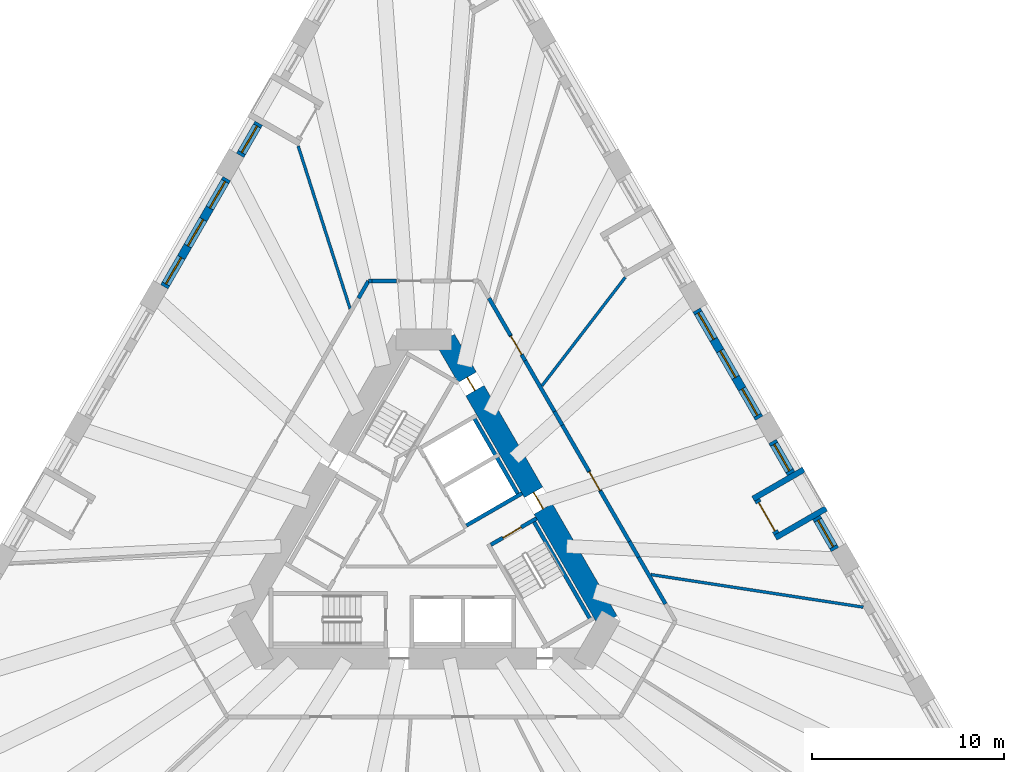
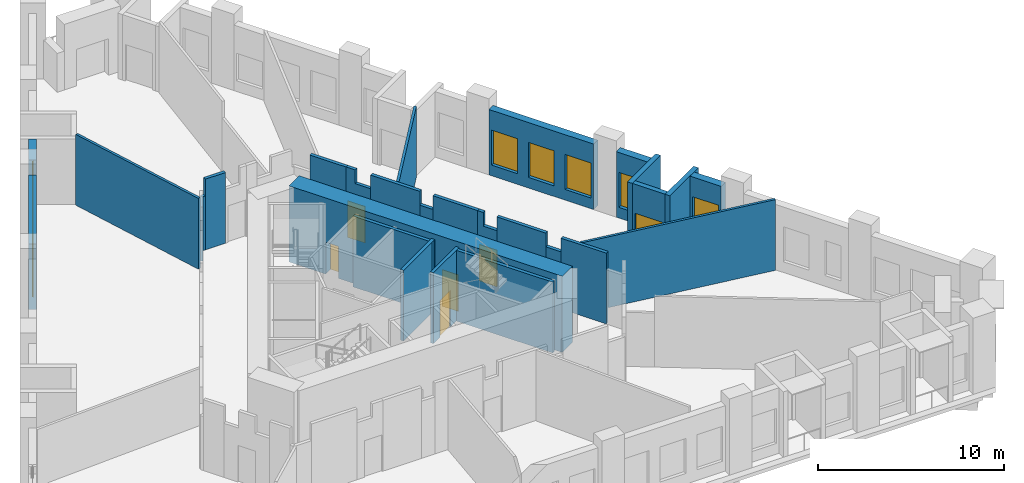
# One storey, part 6 of 12: 28 walls, 9 windows, 6 doors, 15 openings.
"""IFC4 building model written with IfcOpenShell, lengths in metres."""

from ifc_helpers import new_model, si_unit, direction, frame, frame_2d, origin, place, context, subcontext, project, spatial, polyline, rectangle, outline, extrude, material, layer, layer_set, type_object, element, fill, save


model = new_model("IFC4")

# Units and contexts
model_context = context("Model", 3, precision=1e-05, world=origin(), true_north=direction((0.0, 1.0)))
body_context = subcontext(model_context, "Body", "Model", "MODEL_VIEW")
ifc_project = project(units=[si_unit("LENGTHUNIT", "METRE"), si_unit("AREAUNIT", "SQUARE_METRE"), si_unit("VOLUMEUNIT", "CUBIC_METRE"), si_unit("PLANEANGLEUNIT", "RADIAN"), si_unit("MASSUNIT", "GRAM", prefix="KILO")], contexts=[model_context])

# Site, building, storey
site_placement = place(None, origin())
site = spatial("IfcSite", under=ifc_project, at=site_placement, CompositionType="ELEMENT")
building_placement = place(site_placement, origin())
building = spatial("IfcBuilding", under=site, at=building_placement, Name="Tramontana Tower", CompositionType="ELEMENT")
storey_placement = place(building_placement, frame((0.0, 0.0, 25.0)))
storey = spatial("IfcBuildingStorey", under=building, at=storey_placement, Name="L04", CompositionType="ELEMENT", Elevation=25.0)

# Wall, openings, doors
ifc_material_1 = material(Name="Concrete 70 MPa", Category="concrete")
ifc_layer_1 = layer(ifc_material_1, 1.10009765625)
ifc_layer_set_1 = layer_set([ifc_layer_1], Name="Core wall 1100 70 MPa")
wall_type_1 = type_object("IfcWallType", Name="Core wall 1100 70 MPa", PredefinedType="SHEAR", material=ifc_layer_set_1)
wall_1_placement = place(storey_placement, frame((9.61279296875, -4.25, 0.0), z_axis=(0.0, 0.0, 1.0), x_axis=(-0.500001757713, 0.866024388966, 0.0)))
wall_1 = element("IfcWall", 1, at=wall_1_placement, inside=storey, type_object=wall_type_1, Name="Core wall C5 L04", PredefinedType="SHEAR", context=body_context, shape_type="SweptSolid", body=[
    extrude(rectangle(XDim=16.97412109375, YDim=1.10009765625, at=frame_2d((8.487060546875, 0.0))), origin(), (0.0, 0.0, 1.0), 5.0),
])
opening_1_placement = place(wall_1_placement, frame((6.761962890625, 0.0, 0.0)))
opening_1 = element("IfcOpeningElement", 2, at=opening_1_placement, cuts=wall_1, Name="Opening RG3", PredefinedType="OPENING", context=body_context, shape_type="SweptSolid", body=[
    extrude(rectangle(XDim=1.0, YDim=2.39990234375, at=frame_2d((0.5, 1.199951171875))), frame((0.0, 0.56005859375, 0.0), z_axis=(0.0, -1.0, 0.0), x_axis=(1.0, 0.0, 0.0)), (0.0, 0.0, 1.0), 1.1201171875),
])
opening_2_placement = place(wall_1_placement, frame((13.88916015625, 0.0, 0.0)))
opening_2 = element("IfcOpeningElement", 3, at=opening_2_placement, cuts=wall_1, Name="Opening PD3", PredefinedType="OPENING", context=body_context, shape_type="SweptSolid", body=[
    extrude(rectangle(XDim=0.800048828125, YDim=2.10009765625, at=frame_2d((0.39990234375, 1.050048828125))), frame((0.0, 0.56005859375, 0.0), z_axis=(0.0, -1.0, 0.0), x_axis=(1.0, 0.0, 0.0)), (0.0, 0.0, 1.0), 1.1201171875),
])
ifc_material_2 = material(Name="Painted steel", Category="steel")
door_type_1 = type_object("IfcDoorType", Name="CUPBOARD DOOR 800", OperationType="SINGLE_SWING_LEFT", PredefinedType="DOOR", material=ifc_material_2)
door_1_placement = place(opening_2_placement, origin())
door_1 = element("IfcDoor", 4, at=door_1_placement, inside=storey, type_object=door_type_1, Name="Door PD3", OperationType="SINGLE_SWING_RIGHT", OverallHeight=2.10009765625, OverallWidth=0.800048828125, PredefinedType="DOOR", context=body_context, shape_type="SweptSolid", body=[
    extrude(rectangle(XDim=0.800048828125, YDim=2.10009765625, at=frame_2d((0.39990234375, 1.050048828125))), frame((0.0, 0.02490234375, 0.0), z_axis=(0.0, -1.0, 0.0), x_axis=(1.0, 0.0, 0.0)), (0.0, 0.0, 1.0), 0.050048828125),
])
fill(opening_2, door_1)
ifc_material_3 = material(Name="Painted steel", Category="steel")
door_type_2 = type_object("IfcDoorType", Name="RING DOOR 1000", OperationType="SINGLE_SWING_LEFT", PredefinedType="DOOR", material=ifc_material_3)
door_2_placement = place(opening_1_placement, origin())
door_2 = element("IfcDoor", 5, at=door_2_placement, inside=storey, type_object=door_type_2, Name="Door RG3", OperationType="SINGLE_SWING_RIGHT", OverallHeight=2.39990234375, OverallWidth=1.0, PredefinedType="DOOR", context=body_context, shape_type="SweptSolid", body=[
    extrude(rectangle(XDim=1.0, YDim=2.39990234375, at=frame_2d((0.5, 1.199951171875))), frame((0.0, 0.02490234375, 0.0), z_axis=(0.0, -1.0, 0.0), x_axis=(1.0, 0.0, 0.0)), (0.0, 0.0, 1.0), 0.050048828125),
])
fill(opening_1, door_2)

# Wall
ifc_material_4 = material(Name="Blockwork", Category="masonry")
ifc_layer_2 = layer(ifc_material_4, 0.199951171875)
ifc_layer_set_2 = layer_set([ifc_layer_2], Name="ENTRY WALL 200")
wall_type_2 = type_object("IfcWallType", Name="ENTRY WALL 200", PredefinedType="SOLIDWALL", material=ifc_layer_set_2)
wall_2_placement = place(storey_placement, frame((3.404296875, 12.603515625, 0.0), z_axis=(0.0, 0.0, 1.0), x_axis=(0.499982590969, -0.86603545466, 0.0)))
element("IfcWall", 6, at=wall_2_placement, inside=storey, type_object=wall_type_2, Name="Wall ew0-1", PredefinedType="SOLIDWALL", context=body_context, shape_type="SweptSolid", body=[
    extrude(rectangle(XDim=2.24755859375, YDim=0.199951171875, at=frame_2d((1.123779296875, 0.0))), origin(), (0.0, 0.0, 1.0), 4.64990234375),
])

# Wall, opening, door
wall_3_placement = place(storey_placement, frame((4.528076171875, 10.656982421875, 0.0), z_axis=(0.0, 0.0, 1.0), x_axis=(0.500135544557, -0.865947132953, 0.0)))
wall_3 = element("IfcWall", 7, at=wall_3_placement, inside=storey, type_object=wall_type_2, Name="Wall ew0-2", PredefinedType="SOLIDWALL", context=body_context, shape_type="SweptSolid", body=[
    extrude(outline(polyline([(0.0, 0.0), (1.517578125, 0.0), (1.517578125, 3.75), (0.567626953125, 3.75), (0.567626953125, 4.64990234375), (0.0, 4.64990234375), (0.0, 0.0)])), frame((0.0, 0.10009765625, 0.0), z_axis=(0.0, -1.0, 0.0), x_axis=(1.0, 0.0, 0.0)), (0.0, 0.0, 1.0), 0.199951171875),
])
opening_3_placement = place(wall_3_placement, frame((0.050048828125, 0.0, 0.0)))
opening_3 = element("IfcOpeningElement", 8, at=opening_3_placement, cuts=wall_3, Name="Opening L04-08", PredefinedType="OPENING", context=body_context, shape_type="SweptSolid", body=[
    extrude(rectangle(XDim=1.10009765625, YDim=2.39990234375, at=frame_2d((0.550048828125, 1.199951171875))), frame((0.0, 0.10986328125, 0.0), z_axis=(0.0, -1.0, 0.0), x_axis=(1.0, 0.0, 0.0)), (0.0, 0.0, 1.0), 0.219970703125),
])
ifc_material_5 = material(Name="Painted timber", Category="wood")
door_type_3 = type_object("IfcDoorType", Name="DOOR ENTRY 1100", OperationType="SINGLE_SWING_LEFT", PredefinedType="DOOR", material=ifc_material_5)
door_3_placement = place(opening_3_placement, origin())
door_3 = element("IfcDoor", 9, at=door_3_placement, inside=storey, type_object=door_type_3, Name="Door L04-08", OperationType="SINGLE_SWING_RIGHT", OverallHeight=2.39990234375, OverallWidth=1.10009765625, PredefinedType="DOOR", context=body_context, shape_type="SweptSolid", body=[
    extrude(rectangle(XDim=1.10009765625, YDim=2.39990234375, at=frame_2d((0.550048828125, 1.199951171875))), frame((0.0, 0.02490234375, 0.0), z_axis=(0.0, -1.0, 0.0), x_axis=(1.0, 0.0, 0.0)), (0.0, 0.0, 1.0), 0.050048828125),
])
fill(opening_3, door_3)

# Walls
wall_4_placement = place(storey_placement, frame((5.287109375, 9.3427734375, 0.0), z_axis=(0.0, 0.0, 1.0), x_axis=(0.499952348839, -0.866052913447, 0.0)))
element("IfcWall", 10, at=wall_4_placement, inside=storey, type_object=wall_type_2, Name="Wall ew0-3", PredefinedType="SOLIDWALL", context=body_context, shape_type="SweptSolid", body=[
    extrude(rectangle(XDim=3.064208984375, YDim=0.199951171875, at=frame_2d((1.5322265625, 0.0))), origin(), (0.0, 0.0, 1.0), 4.64990234375),
])
wall_5_placement = place(storey_placement, frame((6.819091796875, 6.68896484375, 0.0), z_axis=(0.0, 0.0, 1.0), x_axis=(0.500118501653, -0.865956976012, 0.0)))
element("IfcWall", 11, at=wall_5_placement, inside=storey, type_object=wall_type_2, Name="Wall ew0-4", PredefinedType="SOLIDWALL", context=body_context, shape_type="SweptSolid", body=[
    extrude(rectangle(XDim=0.818115234375, YDim=0.199951171875, at=frame_2d((0.4091796875, 0.0))), origin(), (0.0, 0.0, 1.0), 3.75),
])
wall_6_placement = place(storey_placement, frame((7.228271484375, 5.98046875, 0.0), z_axis=(0.0, 0.0, 1.0), x_axis=(0.499973281945, -0.866040828911, 0.0)))
element("IfcWall", 12, at=wall_6_placement, inside=storey, type_object=wall_type_2, Name="Wall ew0-5", PredefinedType="SOLIDWALL", context=body_context, shape_type="SweptSolid", body=[
    extrude(rectangle(XDim=2.780517578125, YDim=0.199951171875, at=frame_2d((1.39013671875, 0.0))), origin(), (0.0, 0.0, 1.0), 4.64990234375),
])

# Wall, opening, door
wall_7_placement = place(storey_placement, frame((8.618408203125, 3.572509765625, 0.0), z_axis=(0.0, 0.0, 1.0), x_axis=(0.500033551112, -0.866006032174, 0.0)))
wall_7 = element("IfcWall", 13, at=wall_7_placement, inside=storey, type_object=wall_type_2, Name="Wall ew0-6", PredefinedType="SOLIDWALL", context=body_context, shape_type="SweptSolid", body=[
    extrude(outline(polyline([(0.0, 0.0), (1.2001953125, 0.0), (1.199951171875, 3.75), (0.349853515625, 3.75), (0.349853515625, 4.64990234375), (0.0, 4.64990234375), (0.0, 0.0)])), frame((0.0, 0.10009765625, 0.0), z_axis=(0.0, -1.0, 0.0), x_axis=(1.0, 0.0, 0.0)), (0.0, 0.0, 1.0), 0.199951171875),
])
opening_4_placement = place(wall_7_placement, frame((0.050048828125, 0.0, 0.0)))
opening_4 = element("IfcOpeningElement", 14, at=opening_4_placement, cuts=wall_7, Name="Opening L04-07", PredefinedType="OPENING", context=body_context, shape_type="SweptSolid", body=[
    extrude(rectangle(XDim=1.10009765625, YDim=2.39990234375, at=frame_2d((0.550048828125, 1.199951171875))), frame((0.0, 0.10986328125, 0.0), z_axis=(0.0, -1.0, 0.0), x_axis=(1.0, 0.0, 0.0)), (0.0, 0.0, 1.0), 0.219970703125),
])
door_4_placement = place(opening_4_placement, origin())
door_4 = element("IfcDoor", 15, at=door_4_placement, inside=storey, type_object=door_type_3, Name="Door L04-07", OperationType="SINGLE_SWING_LEFT", OverallHeight=2.39990234375, OverallWidth=1.10009765625, PredefinedType="DOOR", context=body_context, shape_type="SweptSolid", body=[
    extrude(rectangle(XDim=1.10009765625, YDim=2.39990234375, at=frame_2d((0.550048828125, 1.199951171875))), frame((0.0, 0.02490234375, 0.0), z_axis=(0.0, -1.0, 0.0), x_axis=(1.0, 0.0, 0.0)), (0.0, 0.0, 1.0), 0.050048828125),
])
fill(opening_4, door_4)

# Walls
wall_8_placement = place(storey_placement, frame((9.218505859375, 2.533203125, 0.0), z_axis=(0.0, 0.0, 1.0), x_axis=(0.499940848033, -0.866059552495, 0.0)))
element("IfcWall", 16, at=wall_8_placement, inside=storey, type_object=wall_type_2, Name="Wall ew0-7", PredefinedType="SOLIDWALL", context=body_context, shape_type="SweptSolid", body=[
    extrude(rectangle(XDim=3.031982421875, YDim=0.199951171875, at=frame_2d((1.51611328125, 0.0))), origin(), (0.0, 0.0, 1.0), 4.64990234375),
])
wall_9_placement = place(storey_placement, frame((10.734375, -0.0927734375, 0.0), z_axis=(0.0, 0.0, 1.0), x_axis=(0.500174821557, -0.865924446982, 0.0)))
element("IfcWall", 17, at=wall_9_placement, inside=storey, type_object=wall_type_2, Name="Wall ew0-8", PredefinedType="SOLIDWALL", context=body_context, shape_type="SweptSolid", body=[
    extrude(rectangle(XDim=0.949951171875, YDim=0.199951171875, at=frame_2d((0.47509765625, 0.0))), origin(), (0.0, 0.0, 1.0), 3.75),
])
wall_10_placement = place(storey_placement, frame((11.20947265625, -0.915283203125, 0.0), z_axis=(0.0, 0.0, 1.0), x_axis=(0.49993514545, -0.866062844338, 0.0)))
element("IfcWall", 18, at=wall_10_placement, inside=storey, type_object=wall_type_2, Name="Wall ew0-9", PredefinedType="SOLIDWALL", context=body_context, shape_type="SweptSolid", body=[
    extrude(rectangle(XDim=2.815185546875, YDim=0.199951171875, at=frame_2d((1.40771484375, 0.0))), origin(), (0.0, 0.0, 1.0), 4.64990234375),
])
wall_11_placement = place(storey_placement, frame((-3.404296875, 12.603515625, 0.0), z_axis=(0.0, 0.0, 1.0), x_axis=(0.499994660107, 0.866028486751, 0.0)))
element("IfcWall", 19, at=wall_11_placement, inside=storey, type_object=wall_type_2, Name="Wall ew4-10", PredefinedType="SOLIDWALL", context=body_context, shape_type="SweptSolid", body=[
    extrude(rectangle(XDim=1.03515625, YDim=0.199951171875, at=frame_2d((0.517578125, 0.0))), origin(), (0.0, 0.0, 1.0), 3.550048828125),
])
wall_12_placement = place(storey_placement, frame((-2.88671875, 13.5, 0.0), z_axis=(0.0, 0.0, 1.0), x_axis=(1.0, 0.0, 0.0)))
element("IfcWall", 20, at=wall_12_placement, inside=storey, type_object=wall_type_2, Name="Wall ew5-0", PredefinedType="SOLIDWALL", context=body_context, shape_type="SweptSolid", body=[
    extrude(rectangle(XDim=0.197265625, YDim=0.199951171875, at=frame_2d((0.0986328125, 0.0))), origin(), (0.0, 0.0, 1.0), 3.550048828125),
])
wall_13_placement = place(storey_placement, frame((-2.689453125, 13.5, 0.0), z_axis=(0.0, 0.0, 1.0), x_axis=(1.0, 0.0, 0.0)))
element("IfcWall", 21, at=wall_13_placement, inside=storey, type_object=wall_type_2, Name="Wall ew5-1", PredefinedType="SOLIDWALL", context=body_context, shape_type="SweptSolid", body=[
    extrude(rectangle(XDim=1.266845703125, YDim=0.199951171875, at=frame_2d((0.63330078125, 0.0))), origin(), (0.0, 0.0, 1.0), 4.64990234375),
])

# Wall, opening, window
ifc_material_6 = material(Name="Precast concrete 60 MPa", Category="concrete")
ifc_layer_3 = layer(ifc_material_6, 0.449951171875)
ifc_layer_set_3 = layer_set([ifc_layer_3], Name="Precast concrete 60 MPa, 450 mm")
wall_type_3 = type_object("IfcWallType", Name="EW1 Stone-faced precast wall 450", PredefinedType="SOLIDWALL", material=ifc_layer_set_3)
wall_14_placement = place(storey_placement, frame((-8.61181640625, 21.73388671875, 0.0), z_axis=(0.0, 0.0, 1.0), x_axis=(-0.500038474733, -0.866003189247, 0.0)))
wall_14 = element("IfcWall", 22, at=wall_14_placement, inside=storey, type_object=wall_type_3, Name="External wall L04 face 0 bay 2", PredefinedType="SOLIDWALL", context=body_context, shape_type="SweptSolid", body=[
    extrude(rectangle(XDim=1.939208984375, YDim=0.449951171875, at=frame_2d((0.9697265625, 0.0))), origin(), (0.0, 0.0, 1.0), 4.300048828125),
])
opening_5_placement = place(wall_14_placement, frame((0.169677734375, 0.0, 0.699951171875)))
opening_5 = element("IfcOpeningElement", 23, at=opening_5_placement, cuts=wall_14, Name="Opening M1", PredefinedType="OPENING", context=body_context, shape_type="SweptSolid", body=[
    extrude(rectangle(XDim=1.60009765625, YDim=2.300048828125, at=frame_2d((0.800048828125, 1.14990234375))), frame((0.0, 0.23486328125, 0.0), z_axis=(0.0, -1.0, 0.0), x_axis=(1.0, 0.0, 0.0)), (0.0, 0.0, 1.0), 0.469970703125),
])
ifc_material_7 = material(Name="Aluminum frame, double glazing unit", Category="aluminium")
window_type = type_object("IfcWindowType", Name="M1 Window 1.6 x 2.3", PartitioningType="SINGLE_PANEL", PredefinedType="WINDOW", material=ifc_material_7)
window_1_placement = place(opening_5_placement, origin())
window_1 = element("IfcWindow", 24, at=window_1_placement, inside=storey, type_object=window_type, Name="Window M1 L04 face 0 module 6", OverallHeight=2.300048828125, OverallWidth=1.60009765625, PartitioningType="SINGLE_PANEL", PredefinedType="WINDOW", context=body_context, shape_type="SweptSolid", body=[
    extrude(rectangle(XDim=1.60009765625, YDim=2.300048828125, at=frame_2d((0.800048828125, 1.14990234375))), frame((0.0, 0.030029296875, 0.0), z_axis=(0.0, -1.0, 0.0), x_axis=(1.0, 0.0, 0.0)), (0.0, 0.0, 1.0), 0.06005859375),
])
fill(opening_5, window_1)

# Wall, openings, windows
wall_15_placement = place(storey_placement, frame((-10.281494140625, 18.842041015625, 0.0), z_axis=(0.0, 0.0, 1.0), x_axis=(-0.500002371706, -0.866024034475, 0.0)))
wall_15 = element("IfcWall", 25, at=wall_15_placement, inside=storey, type_object=wall_type_3, Name="External wall L04 face 0 bay 3", PredefinedType="SOLIDWALL", context=body_context, shape_type="SweptSolid", body=[
    extrude(rectangle(XDim=6.51806640625, YDim=0.449951171875, at=frame_2d((3.259033203125, 0.0))), origin(), (0.0, 0.0, 1.0), 4.300048828125),
])
opening_6_placement = place(wall_15_placement, frame((0.169677734375, 0.0, 0.699951171875)))
opening_6 = element("IfcOpeningElement", 26, at=opening_6_placement, cuts=wall_15, Name="Opening M1", PredefinedType="OPENING", context=body_context, shape_type="SweptSolid", body=[
    extrude(rectangle(XDim=1.60009765625, YDim=2.300048828125, at=frame_2d((0.800048828125, 1.14990234375))), frame((0.0, 0.23486328125, 0.0), z_axis=(0.0, -1.0, 0.0), x_axis=(1.0, 0.0, 0.0)), (0.0, 0.0, 1.0), 0.469970703125),
])
opening_7_placement = place(wall_15_placement, frame((2.458984375, 0.0, 0.699951171875)))
opening_7 = element("IfcOpeningElement", 27, at=opening_7_placement, cuts=wall_15, Name="Opening M1", PredefinedType="OPENING", context=body_context, shape_type="SweptSolid", body=[
    extrude(rectangle(XDim=1.60009765625, YDim=2.300048828125, at=frame_2d((0.800048828125, 1.14990234375))), frame((0.0, 0.23486328125, 0.0), z_axis=(0.0, -1.0, 0.0), x_axis=(1.0, 0.0, 0.0)), (0.0, 0.0, 1.0), 0.469970703125),
])
opening_8_placement = place(wall_15_placement, frame((4.748291015625, 0.0, 0.699951171875)))
opening_8 = element("IfcOpeningElement", 28, at=opening_8_placement, cuts=wall_15, Name="Opening M1", PredefinedType="OPENING", context=body_context, shape_type="SweptSolid", body=[
    extrude(rectangle(XDim=1.60009765625, YDim=2.300048828125, at=frame_2d((0.800048828125, 1.14990234375))), frame((0.0, 0.23486328125, 0.0), z_axis=(0.0, -1.0, 0.0), x_axis=(1.0, 0.0, 0.0)), (0.0, 0.0, 1.0), 0.469970703125),
])
window_2_placement = place(opening_6_placement, origin())
window_2 = element("IfcWindow", 29, at=window_2_placement, inside=storey, type_object=window_type, Name="Window M1 L04 face 0 module 7", OverallHeight=2.300048828125, OverallWidth=1.60009765625, PartitioningType="SINGLE_PANEL", PredefinedType="WINDOW", context=body_context, shape_type="SweptSolid", body=[
    extrude(rectangle(XDim=1.60009765625, YDim=2.300048828125, at=frame_2d((0.800048828125, 1.14990234375))), frame((0.0, 0.030029296875, 0.0), z_axis=(0.0, -1.0, 0.0), x_axis=(1.0, 0.0, 0.0)), (0.0, 0.0, 1.0), 0.06005859375),
])
fill(opening_6, window_2)
window_3_placement = place(opening_7_placement, origin())
window_3 = element("IfcWindow", 30, at=window_3_placement, inside=storey, type_object=window_type, Name="Window M1 L04 face 0 module 8", OverallHeight=2.300048828125, OverallWidth=1.60009765625, PartitioningType="SINGLE_PANEL", PredefinedType="WINDOW", context=body_context, shape_type="SweptSolid", body=[
    extrude(rectangle(XDim=1.60009765625, YDim=2.300048828125, at=frame_2d((0.800048828125, 1.14990234375))), frame((0.0, 0.030029296875, 0.0), z_axis=(0.0, -1.0, 0.0), x_axis=(1.0, 0.0, 0.0)), (0.0, 0.0, 1.0), 0.06005859375),
])
fill(opening_7, window_3)
window_4_placement = place(opening_8_placement, origin())
window_4 = element("IfcWindow", 31, at=window_4_placement, inside=storey, type_object=window_type, Name="Window M1 L04 face 0 module 9", OverallHeight=2.300048828125, OverallWidth=1.60009765625, PartitioningType="SINGLE_PANEL", PredefinedType="WINDOW", context=body_context, shape_type="SweptSolid", body=[
    extrude(rectangle(XDim=1.60009765625, YDim=2.300048828125, at=frame_2d((0.800048828125, 1.14990234375))), frame((0.0, 0.030029296875, 0.0), z_axis=(0.0, -1.0, 0.0), x_axis=(1.0, 0.0, 0.0)), (0.0, 0.0, 1.0), 0.06005859375),
])
fill(opening_8, window_4)

# Wall, opening, window
wall_16_placement = place(storey_placement, frame((21.45849609375, -0.51708984375, 0.0), z_axis=(0.0, 0.0, 1.0), x_axis=(-0.49998396455, 0.866034661658, 0.0)))
wall_16 = element("IfcWall", 32, at=wall_16_placement, inside=storey, type_object=wall_type_3, Name="External wall L04 face 2 bay 3", PredefinedType="SOLIDWALL", context=body_context, shape_type="SweptSolid", body=[
    extrude(rectangle(XDim=1.939453125, YDim=0.449951171875, at=frame_2d((0.9697265625, 0.0))), origin(), (0.0, 0.0, 1.0), 4.300048828125),
])
opening_9_placement = place(wall_16_placement, frame((0.169677734375, 0.0, 0.699951171875)))
opening_9 = element("IfcOpeningElement", 33, at=opening_9_placement, cuts=wall_16, Name="Opening M1", PredefinedType="OPENING", context=body_context, shape_type="SweptSolid", body=[
    extrude(rectangle(XDim=1.60009765625, YDim=2.300048828125, at=frame_2d((0.800048828125, 1.14990234375))), frame((0.0, 0.23486328125, 0.0), z_axis=(0.0, -1.0, 0.0), x_axis=(1.0, 0.0, 0.0)), (0.0, 0.0, 1.0), 0.469970703125),
])
window_5_placement = place(opening_9_placement, origin())
window_5 = element("IfcWindow", 34, at=window_5_placement, inside=storey, type_object=window_type, Name="Window M1 L04 face 2 module 7", OverallHeight=2.300048828125, OverallWidth=1.60009765625, PartitioningType="SINGLE_PANEL", PredefinedType="WINDOW", context=body_context, shape_type="SweptSolid", body=[
    extrude(rectangle(XDim=1.60009765625, YDim=2.300048828125, at=frame_2d((0.800048828125, 1.14990234375))), frame((0.0, 0.030029296875, 0.0), z_axis=(0.0, -1.0, 0.0), x_axis=(1.0, 0.0, 0.0)), (0.0, 0.0, 1.0), 0.06005859375),
])
fill(opening_9, window_5)

wall_17_placement = place(storey_placement, frame((19.1689453125, 3.4482421875, 0.0), z_axis=(0.0, 0.0, 1.0), x_axis=(-0.499944052521, 0.866057702667, 0.0)))
wall_17 = element("IfcWall", 35, at=wall_17_placement, inside=storey, type_object=wall_type_3, Name="External wall L04 face 2 bay 3", PredefinedType="SOLIDWALL", context=body_context, shape_type="SweptSolid", body=[
    extrude(rectangle(XDim=1.939208984375, YDim=0.449951171875, at=frame_2d((0.9697265625, 0.0))), origin(), (0.0, 0.0, 1.0), 4.300048828125),
])
opening_10_placement = place(wall_17_placement, frame((0.169677734375, 0.0, 0.699951171875)))
opening_10 = element("IfcOpeningElement", 36, at=opening_10_placement, cuts=wall_17, Name="Opening M1", PredefinedType="OPENING", context=body_context, shape_type="SweptSolid", body=[
    extrude(rectangle(XDim=1.60009765625, YDim=2.300048828125, at=frame_2d((0.800048828125, 1.14990234375))), frame((0.0, 0.23486328125, 0.0), z_axis=(0.0, -1.0, 0.0), x_axis=(1.0, 0.0, 0.0)), (0.0, 0.0, 1.0), 0.469970703125),
])
window_6_placement = place(opening_10_placement, origin())
window_6 = element("IfcWindow", 37, at=window_6_placement, inside=storey, type_object=window_type, Name="Window M1 L04 face 2 module 9", OverallHeight=2.300048828125, OverallWidth=1.60009765625, PartitioningType="SINGLE_PANEL", PredefinedType="WINDOW", context=body_context, shape_type="SweptSolid", body=[
    extrude(rectangle(XDim=1.60009765625, YDim=2.300048828125, at=frame_2d((0.800048828125, 1.14990234375))), frame((0.0, 0.030029296875, 0.0), z_axis=(0.0, -1.0, 0.0), x_axis=(1.0, 0.0, 0.0)), (0.0, 0.0, 1.0), 0.06005859375),
])
fill(opening_10, window_6)

# Wall, openings, windows
wall_18_placement = place(storey_placement, frame((17.49951171875, 6.340087890625, 0.0), z_axis=(0.0, 0.0, 1.0), x_axis=(-0.500002371706, 0.866024034475, 0.0)))
wall_18 = element("IfcWall", 38, at=wall_18_placement, inside=storey, type_object=wall_type_3, Name="External wall L04 face 2 bay 4", PredefinedType="SOLIDWALL", context=body_context, shape_type="SweptSolid", body=[
    extrude(rectangle(XDim=6.51806640625, YDim=0.449951171875, at=frame_2d((3.259033203125, 0.0))), origin(), (0.0, 0.0, 1.0), 4.300048828125),
])
opening_11_placement = place(wall_18_placement, frame((0.169677734375, 0.0, 0.699951171875)))
opening_11 = element("IfcOpeningElement", 39, at=opening_11_placement, cuts=wall_18, Name="Opening M1", PredefinedType="OPENING", context=body_context, shape_type="SweptSolid", body=[
    extrude(rectangle(XDim=1.60009765625, YDim=2.300048828125, at=frame_2d((0.800048828125, 1.14990234375))), frame((0.0, 0.23486328125, 0.0), z_axis=(0.0, -1.0, 0.0), x_axis=(1.0, 0.0, 0.0)), (0.0, 0.0, 1.0), 0.469970703125),
])
opening_12_placement = place(wall_18_placement, frame((2.458984375, 0.0, 0.699951171875)))
opening_12 = element("IfcOpeningElement", 40, at=opening_12_placement, cuts=wall_18, Name="Opening M1", PredefinedType="OPENING", context=body_context, shape_type="SweptSolid", body=[
    extrude(rectangle(XDim=1.60009765625, YDim=2.300048828125, at=frame_2d((0.800048828125, 1.14990234375))), frame((0.0, 0.23486328125, 0.0), z_axis=(0.0, -1.0, 0.0), x_axis=(1.0, 0.0, 0.0)), (0.0, 0.0, 1.0), 0.469970703125),
])
opening_13_placement = place(wall_18_placement, frame((4.748291015625, 0.0, 0.699951171875)))
opening_13 = element("IfcOpeningElement", 41, at=opening_13_placement, cuts=wall_18, Name="Opening M1", PredefinedType="OPENING", context=body_context, shape_type="SweptSolid", body=[
    extrude(rectangle(XDim=1.60009765625, YDim=2.300048828125, at=frame_2d((0.800048828125, 1.14990234375))), frame((0.0, 0.23486328125, 0.0), z_axis=(0.0, -1.0, 0.0), x_axis=(1.0, 0.0, 0.0)), (0.0, 0.0, 1.0), 0.469970703125),
])
window_7_placement = place(opening_11_placement, origin())
window_7 = element("IfcWindow", 42, at=window_7_placement, inside=storey, type_object=window_type, Name="Window M1 L04 face 2 module 10", OverallHeight=2.300048828125, OverallWidth=1.60009765625, PartitioningType="SINGLE_PANEL", PredefinedType="WINDOW", context=body_context, shape_type="SweptSolid", body=[
    extrude(rectangle(XDim=1.60009765625, YDim=2.300048828125, at=frame_2d((0.800048828125, 1.14990234375))), frame((0.0, 0.030029296875, 0.0), z_axis=(0.0, -1.0, 0.0), x_axis=(1.0, 0.0, 0.0)), (0.0, 0.0, 1.0), 0.06005859375),
])
fill(opening_11, window_7)
window_8_placement = place(opening_12_placement, origin())
window_8 = element("IfcWindow", 43, at=window_8_placement, inside=storey, type_object=window_type, Name="Window M1 L04 face 2 module 11", OverallHeight=2.300048828125, OverallWidth=1.60009765625, PartitioningType="SINGLE_PANEL", PredefinedType="WINDOW", context=body_context, shape_type="SweptSolid", body=[
    extrude(rectangle(XDim=1.60009765625, YDim=2.300048828125, at=frame_2d((0.800048828125, 1.14990234375))), frame((0.0, 0.030029296875, 0.0), z_axis=(0.0, -1.0, 0.0), x_axis=(1.0, 0.0, 0.0)), (0.0, 0.0, 1.0), 0.06005859375),
])
fill(opening_12, window_8)
window_9_placement = place(opening_13_placement, origin())
window_9 = element("IfcWindow", 44, at=window_9_placement, inside=storey, type_object=window_type, Name="Window M1 L04 face 2 module 12", OverallHeight=2.300048828125, OverallWidth=1.60009765625, PartitioningType="SINGLE_PANEL", PredefinedType="WINDOW", context=body_context, shape_type="SweptSolid", body=[
    extrude(rectangle(XDim=1.60009765625, YDim=2.300048828125, at=frame_2d((0.800048828125, 1.14990234375))), frame((0.0, 0.030029296875, 0.0), z_axis=(0.0, -1.0, 0.0), x_axis=(1.0, 0.0, 0.0)), (0.0, 0.0, 1.0), 0.06005859375),
])
fill(opening_13, window_9)

# Wall, opening, door
ifc_material_8 = material(Name="Precast concrete 60 MPa", Category="concrete")
ifc_layer_4 = layer(ifc_material_8, 0.300048828125)
ifc_layer_set_4 = layer_set([ifc_layer_4], Name="LW1 Stone-faced loggia wall 300")
wall_type_4 = type_object("IfcWallType", Name="LW1 Stone-faced loggia wall 300", PredefinedType="SOLIDWALL", material=ifc_layer_set_4)
wall_19_placement = place(storey_placement, frame((18.411865234375, 0.309814453125, 0.0), z_axis=(0.0, 0.0, 1.0), x_axis=(-0.500040236659, 0.866002171892, 0.0)))
wall_19 = element("IfcWall", 45, at=wall_19_placement, inside=storey, type_object=wall_type_4, Name="Loggia wall L04 G0S2.7", PredefinedType="SOLIDWALL", context=body_context, shape_type="SweptSolid", body=[
    extrude(rectangle(XDim=2.039306640625, YDim=0.300048828125, at=frame_2d((1.01953125, 0.0))), origin(), (0.0, 0.0, 1.0), 4.300048828125),
])
opening_14_placement = place(wall_19_placement, frame((0.169677734375, 0.0, 0.0)))
opening_14 = element("IfcOpeningElement", 46, at=opening_14_placement, cuts=wall_19, Name="Opening BD-0S2-07", PredefinedType="OPENING", context=body_context, shape_type="SweptSolid", body=[
    extrude(rectangle(XDim=1.699951171875, YDim=2.39990234375, at=frame_2d((0.85009765625, 1.199951171875))), frame((0.0, 0.159912109375, 0.0), z_axis=(0.0, -1.0, 0.0), x_axis=(1.0, 0.0, 0.0)), (0.0, 0.0, 1.0), 0.320068359375),
])
ifc_material_9 = material(Name="Aluminum frame, double glazing unit", Category="aluminium")
door_type_4 = type_object("IfcDoorType", Name="BD1 Sliding door 1.7 x 2.4", OperationType="SLIDING_TO_LEFT", PredefinedType="DOOR", material=ifc_material_9)
door_5_placement = place(opening_14_placement, origin())
door_5 = element("IfcDoor", 47, at=door_5_placement, inside=storey, type_object=door_type_4, Name="Loggia door L04 G0S2.7", OperationType="SLIDING_TO_LEFT", OverallHeight=2.39990234375, OverallWidth=1.699951171875, PredefinedType="DOOR", context=body_context, shape_type="SweptSolid", body=[
    extrude(rectangle(XDim=1.699951171875, YDim=2.39990234375, at=frame_2d((0.85009765625, 1.199951171875))), frame((0.0, 0.02490234375, 0.0), z_axis=(0.0, -1.0, 0.0), x_axis=(1.0, 0.0, 0.0)), (0.0, 0.0, 1.0), 0.050048828125),
])
fill(opening_14, door_5)

# Walls
for number, where, z_axis, x_axis, name in (
    (48, (20.998291015625, 1.6298828125, 0.0), (0.0, 0.0, 1.0), (-0.866037623948, -0.499978833458, 0.0), "Loggia return L04 G0S2.7a"),
    (49, (19.82861328125, 3.65576171875, 0.0), (0.0, 0.0, 1.0), (-0.866037623948, -0.499978833458, 0.0), "Loggia return L04 G0S2.7b"),
):
    element("IfcWall", number, at=place(storey_placement, frame(where, z_axis=z_axis, x_axis=x_axis)), inside=storey, type_object=wall_type_4, Name=name, PredefinedType="SOLIDWALL", context=body_context, shape_type="SweptSolid", body=[
        extrude(rectangle(XDim=3.050048828125, YDim=0.300048828125, at=frame_2d((1.52490234375, 0.0))), origin(), (0.0, 0.0, 1.0), 4.300048828125),
    ])
ifc_material_10 = material(Name="Gypsum board partition")
ifc_layer_5 = layer(ifc_material_10, 0.14990234375)
ifc_layer_set_5 = layer_set([ifc_layer_5], Name="PARTITION 150")
wall_type_5 = type_object("IfcWallType", Name="PARTITION 150", PredefinedType="PARTITIONING", material=ifc_layer_set_5)
wall_20_placement = place(storey_placement, frame((-6.554931640625, 20.54638671875, 0.0), z_axis=(0.0, 0.0, 1.0), x_axis=(0.303939801995, -0.952691238945, 0.0)))
element("IfcWall", 50, at=wall_20_placement, inside=storey, type_object=wall_type_5, Name="Wall fw-pw05", PredefinedType="PARTITIONING", context=body_context, shape_type="SweptSolid", body=[
    extrude(rectangle(XDim=8.924072265625, YDim=0.14990234375, at=frame_2d((4.4619140625, 0.0))), origin(), (0.0, 0.0, 1.0), 4.64990234375),
])
wall_21_placement = place(storey_placement, frame((6.163330078125, 8.02490234375, 0.0), z_axis=(0.0, 0.0, 1.0), x_axis=(0.609132418549, 0.793068532141, 0.0)))
element("IfcWall", 51, at=wall_21_placement, inside=storey, type_object=wall_type_5, Name="Wall fw-pw10", PredefinedType="PARTITIONING", context=body_context, shape_type="SweptSolid", body=[
    extrude(rectangle(XDim=7.142333984375, YDim=0.14990234375, at=frame_2d((3.5712890625, 0.0))), origin(), (0.0, 0.0, 1.0), 4.64990234375),
])
wall_22_placement = place(storey_placement, frame((11.8466796875, -1.819091796875, 0.0), z_axis=(0.0, 0.0, 1.0), x_axis=(0.988414687714, -0.151777485519, 0.0)))
element("IfcWall", 52, at=wall_22_placement, inside=storey, type_object=wall_type_5, Name="Wall fw-pw12", PredefinedType="PARTITIONING", context=body_context, shape_type="SweptSolid", body=[
    extrude(rectangle(XDim=11.21630859375, YDim=0.14990234375, at=frame_2d((5.608154296875, 0.0))), origin(), (0.0, 0.0, 1.0), 4.64990234375),
])
ifc_material_11 = material(Name="Concrete 70 MPa", Category="concrete")
ifc_layer_6 = layer(ifc_material_11, 0.199951171875)
ifc_layer_set_6 = layer_set([ifc_layer_6], Name="Concrete 70 MPa, 200 mm")
wall_type_6 = type_object("IfcWallType", Name="RC SHAFT BACK WALL 200", PredefinedType="SOLIDWALL", material=ifc_layer_set_6)
wall_23_placement = place(storey_placement, frame((8.759765625, -4.2724609375, 0.0), z_axis=(0.0, 0.0, 1.0), x_axis=(-0.49998037582, 0.866036733513, 0.0)))
element("IfcWall", 53, at=wall_23_placement, inside=storey, type_object=wall_type_6, Name="Wall st3-back", PredefinedType="SOLIDWALL", context=body_context, shape_type="SweptSolid", body=[
    extrude(rectangle(XDim=6.199951171875, YDim=0.199951171875, at=frame_2d((3.10009765625, 0.0))), origin(), (0.0, 0.0, 1.0), 4.64990234375),
])
wall_24_placement = place(storey_placement, frame((5.0048828125, 2.2314453125, 0.0), z_axis=(0.0, 0.0, 1.0), x_axis=(-0.500002801628, 0.866023786258, 0.0)))
element("IfcWall", 54, at=wall_24_placement, inside=storey, type_object=wall_type_6, Name="Wall row2-back", PredefinedType="SOLIDWALL", context=body_context, shape_type="SweptSolid", body=[
    extrude(rectangle(XDim=4.89990234375, YDim=0.199951171875, at=frame_2d((2.449951171875, 0.0))), origin(), (0.0, 0.0, 1.0), 4.64990234375),
])

# Wall, opening, door
ifc_material_12 = material(Name="Concrete 70 MPa", Category="concrete")
ifc_layer_7 = layer(ifc_material_12, 0.199951171875)
ifc_layer_set_7 = layer_set([ifc_layer_7], Name="Concrete 70 MPa, 200 mm")
wall_type_7 = type_object("IfcWallType", Name="RC STAIR AND SHAFT WALL 200", PredefinedType="SOLIDWALL", material=ifc_layer_set_7)
wall_25_placement = place(storey_placement, frame((3.50146484375, -0.2646484375, 0.0), z_axis=(0.0, 0.0, 1.0), x_axis=(0.866027397988, 0.499996545922, 0.0)))
wall_25 = element("IfcWall", 55, at=wall_25_placement, inside=storey, type_object=wall_type_7, Name="Wall st3-near", PredefinedType="SOLIDWALL", context=body_context, shape_type="SweptSolid", body=[
    extrude(rectangle(XDim=2.75, YDim=0.199951171875, at=frame_2d((1.375, 0.0))), origin(), (0.0, 0.0, 1.0), 4.64990234375),
])
opening_15_placement = place(wall_25_placement, frame((0.72509765625, 0.0, 0.0)))
opening_15 = element("IfcOpeningElement", 56, at=opening_15_placement, cuts=wall_25, Name="Opening SD3", PredefinedType="OPENING", context=body_context, shape_type="SweptSolid", body=[
    extrude(rectangle(XDim=1.10009765625, YDim=2.39990234375, at=frame_2d((0.550048828125, 1.199951171875))), frame((0.0, 0.10986328125, 0.0), z_axis=(0.0, -1.0, 0.0), x_axis=(1.0, 0.0, 0.0)), (0.0, 0.0, 1.0), 0.219970703125),
])
ifc_material_13 = material(Name="Painted steel", Category="steel")
door_type_5 = type_object("IfcDoorType", Name="STAIR DOOR 1100", OperationType="SINGLE_SWING_LEFT", PredefinedType="DOOR", material=ifc_material_13)
door_6_placement = place(opening_15_placement, origin())
door_6 = element("IfcDoor", 57, at=door_6_placement, inside=storey, type_object=door_type_5, Name="Door SD3", OperationType="SINGLE_SWING_RIGHT", OverallHeight=2.39990234375, OverallWidth=1.10009765625, PredefinedType="DOOR", context=body_context, shape_type="SweptSolid", body=[
    extrude(rectangle(XDim=1.10009765625, YDim=2.39990234375, at=frame_2d((0.550048828125, 1.199951171875))), frame((0.0, 0.02490234375, 0.0), z_axis=(0.0, -1.0, 0.0), x_axis=(1.0, 0.0, 0.0)), (0.0, 0.0, 1.0), 0.050048828125),
])
fill(opening_15, door_6)

# Wall
wall_26_placement = place(storey_placement, frame((2.226806640625, 0.742919921875, 0.0), z_axis=(0.0, 0.0, 1.0), x_axis=(0.866014461049, 0.500018952895, 0.0)))
element("IfcWall", 58, at=wall_26_placement, inside=storey, type_object=wall_type_7, Name="Wall row2-side0", PredefinedType="SOLIDWALL", context=body_context, shape_type="SweptSolid", body=[
    extrude(rectangle(XDim=3.349853515625, YDim=0.199951171875, at=frame_2d((1.6748046875, 0.0))), origin(), (0.0, 0.0, 1.0), 4.64990234375),
])

save(model, "model.ifc")
